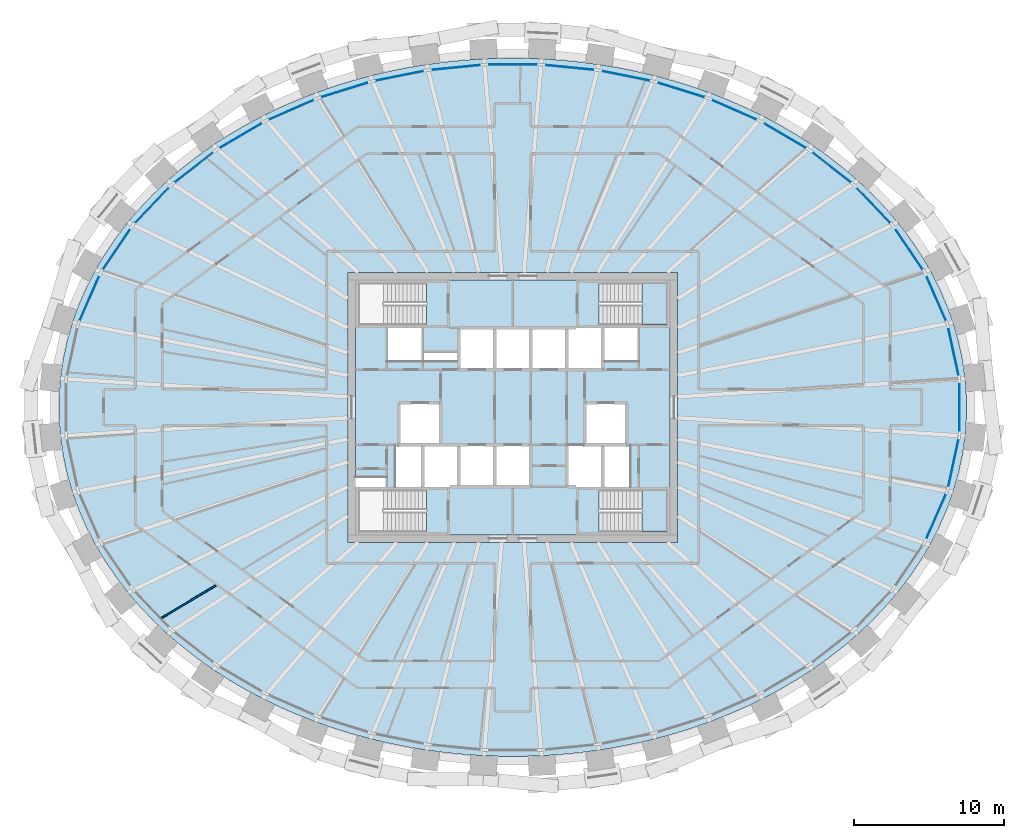
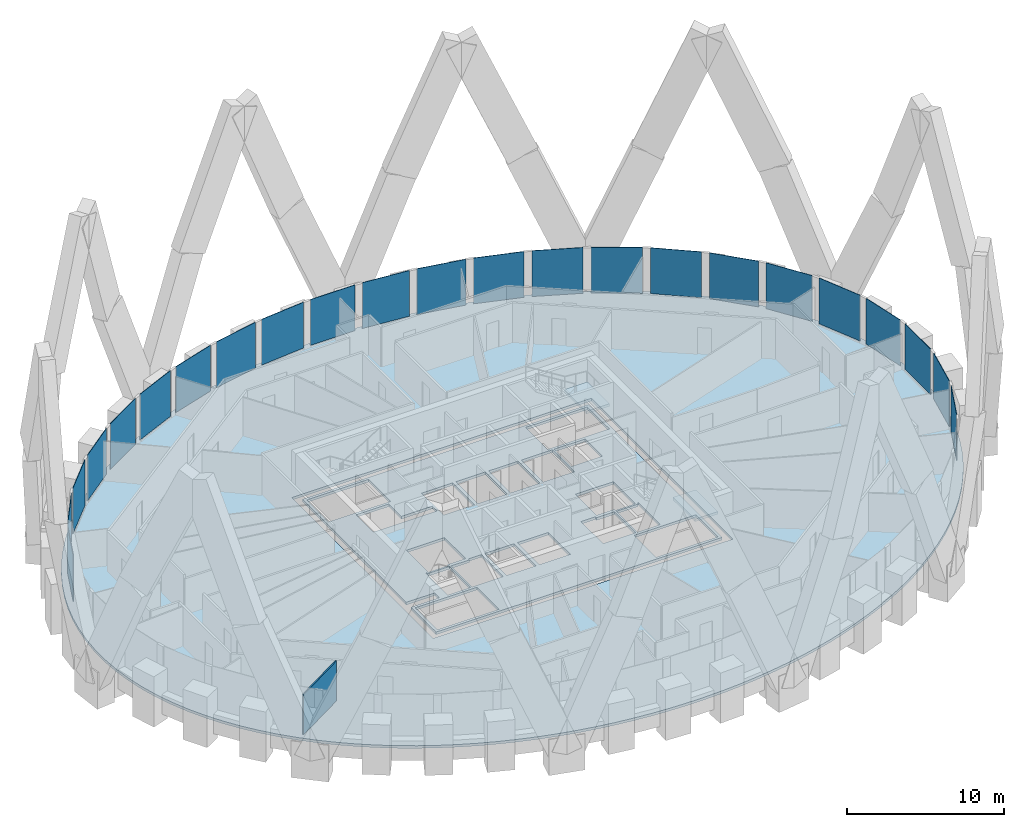
# One storey, part 6 of 14: 23 plates, 4 slabs, 1 wall, 3 elements without a shape of their own.
"""IFC4 building model written with IfcOpenShell, lengths in metres."""

from ifc_helpers import new_model, si_unit, direction, frame, frame_2d, origin, origin_2d, place, context, subcontext, project, spatial, polyline, rectangle, outline, extrude, source, transform, mapped, material, layer, layer_set, type_object, element, aggregate, save


model = new_model("IFC4")

# Units and contexts
model_context = context("Model", 3, precision=1e-05, world=origin(), true_north=direction((0.0, 1.0)))
body_context = subcontext(model_context, "Body", "Model", "MODEL_VIEW")
ifc_project = project(units=[si_unit("LENGTHUNIT", "METRE"), si_unit("AREAUNIT", "SQUARE_METRE"), si_unit("VOLUMEUNIT", "CUBIC_METRE"), si_unit("PLANEANGLEUNIT", "RADIAN"), si_unit("MASSUNIT", "GRAM", prefix="KILO")], contexts=[model_context])

# Site, building, storey
site_placement = place(None, origin())
site = spatial("IfcSite", under=ifc_project, at=site_placement, CompositionType="ELEMENT")
building_placement = place(site_placement, origin())
building = spatial("IfcBuilding", under=site, at=building_placement, Name="Embergate Tower", CompositionType="ELEMENT")
storey_placement = place(building_placement, frame((0.0, 0.0, 297.39990234375)))
storey = spatial("IfcBuildingStorey", under=building, at=storey_placement, Name="L69", CompositionType="ELEMENT", Elevation=297.39990234375)

# Slab
ifc_material_1 = material(Name="Concrete C40", Category="concrete")
ifc_layer_1 = layer(ifc_material_1, 0.199951171875)
ifc_layer_set_1 = layer_set([ifc_layer_1], Name="Concrete C40")
slab_type_1 = type_object("IfcSlabType", Name="Composite floor slab C40 200", PredefinedType="FLOOR", material=ifc_layer_set_1)
shared_shape_1 = source(origin(), body_context, "Body", "SweptSolid", [
    extrude(outline(polyline([(0.0, 0.0), (1.27978515625, 0.0), (2.558837890625, 0.0419921875), (3.8388671875, 0.125), (5.11279296875, 0.2509765625), (6.3779296875, 0.4169921875), (7.64599609375, 0.626953125), (8.90087890625, 0.87890625), (10.140869140625, 1.171875), (11.3837890625, 1.510986328125), (12.60595703125, 1.891845703125), (13.804931640625, 2.31298828125), (15.0068359375, 2.784912109375), (16.178955078125, 3.2978515625), (17.32080078125, 3.850830078125), (18.4619140625, 4.4599609375), (19.56494140625, 5.10791015625), (20.62890625, 5.794921875), (21.684814453125, 6.544921875), (22.69384765625, 7.331787109375), (23.65283203125, 8.15576171875), (24.593994140625, 9.046875), (25.477783203125, 9.972900390625), (26.2998046875, 10.931884765625), (27.0888671875, 11.9599609375), (27.807861328125, 13.017822265625), (28.455810546875, 14.101806640625), (29.0498046875, 15.2509765625), (29.56396484375, 16.4228515625), (29.995849609375, 17.61279296875), (30.352783203125, 18.849853515625), (30.621826171875, 20.099853515625), (30.802001953125, 21.35986328125), (30.893798828125, 22.636962890625), (30.893798828125, 23.914794921875), (30.802001953125, 25.19189453125), (30.621826171875, 26.451904296875), (30.352783203125, 27.701904296875), (29.995849609375, 28.93896484375), (29.56396484375, 30.12890625), (29.0498046875, 31.30078125), (28.455810546875, 32.449951171875), (27.807861328125, 33.533935546875), (27.0888671875, 34.591796875), (26.2998046875, 35.619873046875), (25.477783203125, 36.578857421875), (24.593994140625, 37.5048828125), (23.65283203125, 38.39599609375), (22.69384765625, 39.219970703125), (21.684814453125, 40.0068359375), (20.62890625, 40.7568359375), (19.56494140625, 41.44384765625), (18.4619140625, 42.091796875), (17.32080078125, 42.700927734375), (16.178955078125, 43.25390625), (15.0068359375, 43.766845703125), (13.804931640625, 44.23876953125), (12.60595703125, 44.659912109375), (11.3837890625, 45.040771484375), (10.140869140625, 45.3798828125), (8.90087890625, 45.6728515625), (7.64599609375, 45.9248046875), (6.3779296875, 46.134765625), (5.11279296875, 46.30078125), (3.8388671875, 46.4267578125), (2.558837890625, 46.509765625), (1.27978515625, 46.5517578125), (0.0, 46.5517578125), (-1.279052734375, 46.509765625), (-2.55908203125, 46.4267578125), (-3.8330078125, 46.30078125), (-5.09814453125, 46.134765625), (-6.3662109375, 45.9248046875), (-7.62109375, 45.6728515625), (-8.861083984375, 45.3798828125), (-10.10400390625, 45.040771484375), (-11.326171875, 44.659912109375), (-12.525146484375, 44.23876953125), (-13.72705078125, 43.766845703125), (-14.899169921875, 43.25390625), (-16.041015625, 42.700927734375), (-17.18212890625, 42.091796875), (-18.28515625, 41.44384765625), (-19.34912109375, 40.7568359375), (-20.405029296875, 40.0068359375), (-21.4140625, 39.219970703125), (-22.373046875, 38.39599609375), (-23.314208984375, 37.5048828125), (-24.197998046875, 36.578857421875), (-25.02001953125, 35.619873046875), (-25.80908203125, 34.591796875), (-26.528076171875, 33.533935546875), (-27.176025390625, 32.449951171875), (-27.77001953125, 31.30078125), (-28.2841796875, 30.12890625), (-28.716064453125, 28.93896484375), (-29.072998046875, 27.701904296875), (-29.342041015625, 26.451904296875), (-29.522216796875, 25.19189453125), (-29.614013671875, 23.914794921875), (-29.614013671875, 22.636962890625), (-29.522216796875, 21.35986328125), (-29.342041015625, 20.099853515625), (-29.072998046875, 18.849853515625), (-28.716064453125, 17.61279296875), (-28.2841796875, 16.4228515625), (-27.77001953125, 15.2509765625), (-27.176025390625, 14.101806640625), (-26.528076171875, 13.017822265625), (-25.80908203125, 11.9599609375), (-25.02001953125, 10.931884765625), (-24.197998046875, 9.972900390625), (-23.314208984375, 9.046875), (-22.373046875, 8.15576171875), (-21.4140625, 7.331787109375), (-20.405029296875, 6.544921875), (-19.34912109375, 5.794921875), (-18.28515625, 5.10791015625), (-17.18212890625, 4.4599609375), (-16.041015625, 3.850830078125), (-14.899169921875, 3.2978515625), (-13.72705078125, 2.784912109375), (-12.525146484375, 2.31298828125), (-11.326171875, 1.891845703125), (-10.10400390625, 1.510986328125), (-8.861083984375, 1.171875), (-7.62109375, 0.87890625), (-6.3662109375, 0.626953125), (-5.09814453125, 0.4169921875), (-3.8330078125, 0.2509765625), (-2.55908203125, 0.125), (-1.279052734375, 0.0419921875), (0.0, 0.0)]), holes=[polyline([(-10.360107421875, 14.27587890625), (-10.360107421875, 32.27587890625), (11.639892578125, 32.27587890625), (11.639892578125, 14.27587890625), (-10.360107421875, 14.27587890625)])]), origin(), (0.0, 0.0, 1.0), 0.199951171875),
])
slab_1_placement = place(storey_placement, frame((-0.639892578125, -23.27587890625, -0.199951171875)))
element("IfcSlab", 1, at=slab_1_placement, inside=storey, type_object=slab_type_1, Name="SLB-L69-00", PredefinedType="FLOOR", context=body_context, shape_type="MappedRepresentation", body=[
    mapped(shared_shape_1, transform((0.0, 0.0, 0.0))),
])

# Curtain wall, plates
ifc_material_2 = material(Name="Aluminium and glass", Category="aluminium")
curtain_wall_type = type_object("IfcCurtainWallType", Name="Recessed office glazing", PredefinedType="NOTDEFINED", material=ifc_material_2)
curtain_wall_placement = place(storey_placement, origin())
curtain_wall = element("IfcCurtainWall", 2, at=curtain_wall_placement, inside=storey, type_object=curtain_wall_type, Name="Recessed office glazing ring", ObjectType="RECESSED OFFICE GLAZING", PredefinedType="USERDEFINED")
ifc_material_3 = material(Name="Triple glazing, low-emissivity coating", Category="glass")
ifc_layer_2 = layer(ifc_material_3, 0.035888671875)
ifc_layer_set_2 = layer_set([ifc_layer_2], Name="Triple glazing, low-emissivity coating")
plate_type = type_object("IfcPlateType", Name="Office glazing unit", PredefinedType="CURTAIN_PANEL", material=ifc_layer_set_2)
shared_shape_2 = source(origin(), body_context, "Body", "SweptSolid", [
    extrude(rectangle(XDim=3.2314453125, YDim=0.035888671875, at=origin_2d()), origin(), (0.0, 0.0, 1.0), 3.550048828125),
])
plate_1_placement = place(storey_placement, frame((29.3798828125, 3.708251953125, 0.14990234375), z_axis=(0.0, 0.0, 1.0), x_axis=(-0.210398391177, 0.97761573074, 0.0)))
plate_1 = element("IfcPlate", 3, at=plate_1_placement, type_object=plate_type, Name="CW panel 1.1", PredefinedType="CURTAIN_PANEL", context=body_context, shape_type="MappedRepresentation", body=[
    mapped(shared_shape_2, transform((0.0, 0.0, 0.0))),
])
plate_2_placement = place(storey_placement, frame((29.3798828125, -3.708251953125, 0.14990234375), z_axis=(0.0, 0.0, 1.0), x_axis=(0.210398391177, 0.97761573074, 0.0)))
plate_2 = element("IfcPlate", 4, at=plate_2_placement, type_object=plate_type, Name="CW panel 43.1", PredefinedType="CURTAIN_PANEL", context=body_context, shape_type="MappedRepresentation", body=[
    mapped(shared_shape_2, transform((0.0, 0.0, 0.0))),
])
shared_shape_3 = source(origin(), body_context, "Body", "SweptSolid", [
    extrude(rectangle(XDim=3.23828125, YDim=0.035888671875, at=origin_2d()), origin(), (0.0, 0.0, 1.0), 3.550048828125),
])
plate_3_placement = place(storey_placement, frame((28.23046875, 7.2626953125, 0.14990234375), z_axis=(0.0, 0.0, 1.0), x_axis=(-0.401653699516, 0.915791627864, 0.0)))
plate_3 = element("IfcPlate", 5, at=plate_3_placement, type_object=plate_type, Name="CW panel 2.1", PredefinedType="CURTAIN_PANEL", context=body_context, shape_type="MappedRepresentation", body=[
    mapped(shared_shape_3, transform((0.0, 0.0, 0.0))),
])
plate_4_placement = place(storey_placement, frame((-28.23046875, 7.2626953125, 0.14990234375), z_axis=(0.0, 0.0, 1.0), x_axis=(-0.401653699516, -0.915791627864, 0.0)))
plate_4 = element("IfcPlate", 6, at=plate_4_placement, type_object=plate_type, Name="CW panel 20.1", PredefinedType="CURTAIN_PANEL", context=body_context, shape_type="MappedRepresentation", body=[
    mapped(shared_shape_3, transform((0.0, 0.0, 0.0))),
])
plate_5_placement = place(storey_placement, frame((28.23046875, -7.2626953125, 0.14990234375), z_axis=(0.0, 0.0, 1.0), x_axis=(0.401653699516, 0.915791627864, 0.0)))
plate_5 = element("IfcPlate", 7, at=plate_5_placement, type_object=plate_type, Name="CW panel 42.1", PredefinedType="CURTAIN_PANEL", context=body_context, shape_type="MappedRepresentation", body=[
    mapped(shared_shape_3, transform((0.0, 0.0, 0.0))),
])
shared_shape_4 = source(origin(), body_context, "Body", "SweptSolid", [
    extrude(rectangle(XDim=3.246826171875, YDim=0.035888671875, at=origin_2d()), origin(), (0.0, 0.0, 1.0), 3.550048828125),
])
plate_6_placement = place(storey_placement, frame((26.41650390625, 10.541015625, 0.14990234375), z_axis=(0.0, 0.0, 1.0), x_axis=(-0.562341741915, 0.826904931234, 0.0)))
plate_6 = element("IfcPlate", 8, at=plate_6_placement, type_object=plate_type, Name="CW panel 3.1", PredefinedType="CURTAIN_PANEL", context=body_context, shape_type="MappedRepresentation", body=[
    mapped(shared_shape_4, transform((0.0, 0.0, 0.0))),
])
plate_7_placement = place(storey_placement, frame((-26.41650390625, 10.541015625, 0.14990234375), z_axis=(0.0, 0.0, 1.0), x_axis=(-0.562341741915, -0.826904931234, 0.0)))
plate_7 = element("IfcPlate", 9, at=plate_7_placement, type_object=plate_type, Name="CW panel 19.1", PredefinedType="CURTAIN_PANEL", context=body_context, shape_type="MappedRepresentation", body=[
    mapped(shared_shape_4, transform((0.0, 0.0, 0.0))),
])
shared_shape_5 = source(origin(), body_context, "Body", "SweptSolid", [
    extrude(rectangle(XDim=3.255126953125, YDim=0.035888671875, at=origin_2d()), origin(), (0.0, 0.0, 1.0), 3.550048828125),
])
plate_8_placement = place(storey_placement, frame((24.0546875, 13.464599609375, 0.14990234375), z_axis=(0.0, 0.0, 1.0), x_axis=(-0.690133784465, 0.723681808215, 0.0)))
plate_8 = element("IfcPlate", 10, at=plate_8_placement, type_object=plate_type, Name="CW panel 4.1", PredefinedType="CURTAIN_PANEL", context=body_context, shape_type="MappedRepresentation", body=[
    mapped(shared_shape_5, transform((0.0, 0.0, 0.0))),
])
plate_9_placement = place(storey_placement, frame((-24.0546875, 13.464599609375, 0.14990234375), z_axis=(0.0, 0.0, 1.0), x_axis=(-0.690133784465, -0.723681808215, 0.0)))
plate_9 = element("IfcPlate", 11, at=plate_9_placement, type_object=plate_type, Name="CW panel 18.1", PredefinedType="CURTAIN_PANEL", context=body_context, shape_type="MappedRepresentation", body=[
    mapped(shared_shape_5, transform((0.0, 0.0, 0.0))),
])
shared_shape_6 = source(origin(), body_context, "Body", "SweptSolid", [
    extrude(rectangle(XDim=3.262451171875, YDim=0.035888671875, at=origin_2d()), origin(), (0.0, 0.0, 1.0), 3.550048828125),
])
plate_10_placement = place(storey_placement, frame((21.26123046875, 15.994140625, 0.14990234375), z_axis=(0.0, 0.0, 1.0), x_axis=(-0.788317971569, 0.615268051911, 0.0)))
plate_10 = element("IfcPlate", 12, at=plate_10_placement, type_object=plate_type, Name="CW panel 5.1", PredefinedType="CURTAIN_PANEL", context=body_context, shape_type="MappedRepresentation", body=[
    mapped(shared_shape_6, transform((0.0, 0.0, 0.0))),
])
plate_11_placement = place(storey_placement, frame((-21.26123046875, 15.994140625, 0.14990234375), z_axis=(0.0, 0.0, 1.0), x_axis=(-0.788317971569, -0.615268051911, 0.0)))
plate_11 = element("IfcPlate", 13, at=plate_11_placement, type_object=plate_type, Name="CW panel 17.1", PredefinedType="CURTAIN_PANEL", context=body_context, shape_type="MappedRepresentation", body=[
    mapped(shared_shape_6, transform((0.0, 0.0, 0.0))),
])
shared_shape_7 = source(origin(), body_context, "Body", "SweptSolid", [
    extrude(rectangle(XDim=3.268310546875, YDim=0.035888671875, at=origin_2d()), origin(), (0.0, 0.0, 1.0), 3.550048828125),
])
plate_12_placement = place(storey_placement, frame((18.137451171875, 18.117919921875, 0.14990234375), z_axis=(0.0, 0.0, 1.0), x_axis=(-0.862051398678, 0.50682086188, 0.0)))
plate_12 = element("IfcPlate", 14, at=plate_12_placement, type_object=plate_type, Name="CW panel 6.1", PredefinedType="CURTAIN_PANEL", context=body_context, shape_type="MappedRepresentation", body=[
    mapped(shared_shape_7, transform((0.0, 0.0, 0.0))),
])
plate_13_placement = place(storey_placement, frame((-18.137451171875, 18.117919921875, 0.14990234375), z_axis=(0.0, 0.0, 1.0), x_axis=(-0.862051398678, -0.50682086188, 0.0)))
plate_13 = element("IfcPlate", 15, at=plate_13_placement, type_object=plate_type, Name="CW panel 16.1", PredefinedType="CURTAIN_PANEL", context=body_context, shape_type="MappedRepresentation", body=[
    mapped(shared_shape_7, transform((0.0, 0.0, 0.0))),
])
shared_shape_8 = source(origin(), body_context, "Body", "SweptSolid", [
    extrude(rectangle(XDim=3.272705078125, YDim=0.035888671875, at=origin_2d()), origin(), (0.0, 0.0, 1.0), 3.550048828125),
])
plate_14_placement = place(storey_placement, frame((14.76708984375, 19.837646484375, 0.14990234375), z_axis=(0.0, 0.0, 1.0), x_axis=(-0.916234813243, 0.400641694037, 0.0)))
plate_14 = element("IfcPlate", 16, at=plate_14_placement, type_object=plate_type, Name="CW panel 7.1", PredefinedType="CURTAIN_PANEL", context=body_context, shape_type="MappedRepresentation", body=[
    mapped(shared_shape_8, transform((0.0, 0.0, 0.0))),
])
plate_15_placement = place(storey_placement, frame((-14.76708984375, 19.837646484375, 0.14990234375), z_axis=(0.0, 0.0, 1.0), x_axis=(-0.916234813243, -0.400641694037, 0.0)))
plate_15 = element("IfcPlate", 17, at=plate_15_placement, type_object=plate_type, Name="CW panel 15.1", PredefinedType="CURTAIN_PANEL", context=body_context, shape_type="MappedRepresentation", body=[
    mapped(shared_shape_8, transform((0.0, 0.0, 0.0))),
])
shared_shape_9 = source(origin(), body_context, "Body", "SweptSolid", [
    extrude(rectangle(XDim=3.27587890625, YDim=0.035888671875, at=origin_2d()), origin(), (0.0, 0.0, 1.0), 3.550048828125),
])
plate_16_placement = place(storey_placement, frame((11.21728515625, 21.16162109375, 0.14990234375), z_axis=(0.0, 0.0, 1.0), x_axis=(-0.954771179262, 0.297341546458, 0.0)))
plate_16 = element("IfcPlate", 18, at=plate_16_placement, type_object=plate_type, Name="CW panel 8.1", PredefinedType="CURTAIN_PANEL", context=body_context, shape_type="MappedRepresentation", body=[
    mapped(shared_shape_9, transform((0.0, 0.0, 0.0))),
])
plate_17_placement = place(storey_placement, frame((-11.21728515625, 21.16162109375, 0.14990234375), z_axis=(0.0, 0.0, 1.0), x_axis=(-0.954771179262, -0.297341546458, 0.0)))
plate_17 = element("IfcPlate", 19, at=plate_17_placement, type_object=plate_type, Name="CW panel 14.1", PredefinedType="CURTAIN_PANEL", context=body_context, shape_type="MappedRepresentation", body=[
    mapped(shared_shape_9, transform((0.0, 0.0, 0.0))),
])
shared_shape_10 = source(origin(), body_context, "Body", "SweptSolid", [
    extrude(rectangle(XDim=3.2783203125, YDim=0.035888671875, at=origin_2d()), origin(), (0.0, 0.0, 1.0), 3.550048828125),
])
plate_18_placement = place(storey_placement, frame((7.543212890625, 22.099609375, 0.14990234375), z_axis=(0.0, 0.0, 1.0), x_axis=(-0.980475564207, 0.196640962142, 0.0)))
plate_18 = element("IfcPlate", 20, at=plate_18_placement, type_object=plate_type, Name="CW panel 9.1", PredefinedType="CURTAIN_PANEL", context=body_context, shape_type="MappedRepresentation", body=[
    mapped(shared_shape_10, transform((0.0, 0.0, 0.0))),
])
plate_19_placement = place(storey_placement, frame((-7.543212890625, 22.099609375, 0.14990234375), z_axis=(0.0, 0.0, 1.0), x_axis=(-0.980475564207, -0.196640962142, 0.0)))
plate_19 = element("IfcPlate", 21, at=plate_19_placement, type_object=plate_type, Name="CW panel 13.1", PredefinedType="CURTAIN_PANEL", context=body_context, shape_type="MappedRepresentation", body=[
    mapped(shared_shape_10, transform((0.0, 0.0, 0.0))),
])
shared_shape_11 = source(origin(), body_context, "Body", "SweptSolid", [
    extrude(rectangle(XDim=3.279296875, YDim=0.035888671875, at=origin_2d()), origin(), (0.0, 0.0, 1.0), 3.550048828125),
])
plate_20_placement = place(storey_placement, frame((3.79052734375, 22.65869140625, 0.14990234375), z_axis=(0.0, 0.0, 1.0), x_axis=(-0.995203184788, 0.097829550688, 0.0)))
plate_20 = element("IfcPlate", 22, at=plate_20_placement, type_object=plate_type, Name="CW panel 10.1", PredefinedType="CURTAIN_PANEL", context=body_context, shape_type="MappedRepresentation", body=[
    mapped(shared_shape_11, transform((0.0, 0.0, 0.0))),
])
plate_21_placement = place(storey_placement, frame((-3.79052734375, 22.65869140625, 0.14990234375), z_axis=(0.0, 0.0, 1.0), x_axis=(-0.995203184788, -0.097829550688, 0.0)))
plate_21 = element("IfcPlate", 23, at=plate_21_placement, type_object=plate_type, Name="CW panel 12.1", PredefinedType="CURTAIN_PANEL", context=body_context, shape_type="MappedRepresentation", body=[
    mapped(shared_shape_11, transform((0.0, 0.0, 0.0))),
])
shared_shape_12 = source(origin(), body_context, "Body", "SweptSolid", [
    extrude(rectangle(XDim=3.27978515625, YDim=0.035888671875, at=origin_2d()), origin(), (0.0, 0.0, 1.0), 3.550048828125),
])
plate_22_placement = place(storey_placement, frame((0.0, 22.844482421875, 0.14990234375), z_axis=(0.0, 0.0, 1.0), x_axis=(-1.0, 0.0, 0.0)))
plate_22 = element("IfcPlate", 24, at=plate_22_placement, type_object=plate_type, Name="CW panel 11.1", PredefinedType="CURTAIN_PANEL", context=body_context, shape_type="MappedRepresentation", body=[
    mapped(shared_shape_12, transform((0.0, 0.0, 0.0))),
])
shared_shape_13 = source(origin(), body_context, "Body", "SweptSolid", [
    extrude(rectangle(XDim=3.22900390625, YDim=0.035888671875, at=origin_2d()), origin(), (0.0, 0.0, 1.0), 3.550048828125),
])
plate_23_placement = place(storey_placement, frame((29.774658203125, 0.0, 0.14990234375), z_axis=(0.0, 0.0, 1.0), x_axis=(0.0, 1.0, 0.0)))
plate_23 = element("IfcPlate", 25, at=plate_23_placement, type_object=plate_type, Name="CW panel 44.1", PredefinedType="CURTAIN_PANEL", context=body_context, shape_type="MappedRepresentation", body=[
    mapped(shared_shape_13, transform((0.0, 0.0, 0.0))),
])
aggregate(curtain_wall, [plate_1, plate_3, plate_6, plate_8, plate_10, plate_12, plate_14, plate_16, plate_18, plate_20, plate_22, plate_21, plate_19, plate_17, plate_15, plate_13, plate_11, plate_9, plate_7, plate_4, plate_5, plate_2, plate_23])

# Stair, slab
ifc_material_4 = material(Name="Exit stair")
stair_type = type_object("IfcStairType", Name="Exit stair", PredefinedType="HALF_TURN_STAIR", material=ifc_material_4)
stair_1_placement = place(storey_placement, origin())
stair_1 = element("IfcStair", 26, at=stair_1_placement, inside=storey, type_object=stair_type, Name="L69 Exit stair 2", PredefinedType="HALF_TURN_STAIR")
ifc_layer_3 = layer(ifc_material_1, 0.199951171875)
ifc_layer_set_3 = layer_set([ifc_layer_3], Name="Concrete C40")
slab_type_2 = type_object("IfcSlabType", Name="Stair landing reinforced concrete", PredefinedType="LANDING", material=ifc_layer_set_3)
shared_shape_14 = source(origin(), body_context, "Body", "SweptSolid", [
    extrude(outline(polyline([(0.0, 0.0), (1.68994140625, 0.0), (1.68994140625, 2.800048828125), (0.0, 2.800048828125), (0.0, 0.0)])), origin(), (0.0, 0.0, 1.0), 0.2001953125),
])
slab_2_placement = place(storey_placement, frame((8.610107421875, 5.5, 1.75)))
slab_2 = element("IfcSlab", 27, at=slab_2_placement, type_object=slab_type_2, Name="ST2 landing 1", PredefinedType="LANDING", context=body_context, shape_type="MappedRepresentation", body=[
    mapped(shared_shape_14, transform((0.0, 0.0, 0.0))),
])
aggregate(stair_1, [slab_2])

stair_2_placement = place(storey_placement, origin())
stair_2 = element("IfcStair", 28, at=stair_2_placement, inside=storey, type_object=stair_type, Name="L69 Exit stair 4", PredefinedType="HALF_TURN_STAIR")
slab_3_placement = place(storey_placement, frame((8.610107421875, -8.300048828125, 1.75)))
slab_3 = element("IfcSlab", 29, at=slab_3_placement, type_object=slab_type_2, Name="ST4 landing 1", PredefinedType="LANDING", context=body_context, shape_type="MappedRepresentation", body=[
    mapped(shared_shape_14, transform((0.0, 0.0, 0.0))),
])
aggregate(stair_2, [slab_3])

# Slab
ifc_layer_4 = layer(ifc_material_1, 0.199951171875)
ifc_layer_set_4 = layer_set([ifc_layer_4], Name="Concrete C40")
slab_type_3 = type_object("IfcSlabType", Name="Core floor slab 200 reinforced concrete", PredefinedType="FLOOR", material=ifc_layer_set_4)
shared_shape_15 = source(origin(), body_context, "Body", "SweptSolid", [
    extrude(outline(polyline([(0.0, 0.0), (21.0, 0.0), (21.0, 17.0), (0.0, 17.0), (0.0, 3.803955078125), (2.10009765625, 3.803955078125), (2.10009765625, 3.199951171875), (0.0, 3.199951171875), (0.0, 0.0)]), holes=[polyline([(0.199951171875, 0.199951171875), (0.199951171875, 3.0), (4.739990234375, 3.0), (4.739990234375, 0.199951171875), (0.199951171875, 0.199951171875)]), polyline([(16.260009765625, 0.199951171875), (16.260009765625, 3.0), (20.800048828125, 3.0), (20.800048828125, 0.199951171875), (16.260009765625, 0.199951171875)]), polyline([(2.699951171875, 3.199951171875), (2.699951171875, 6.0), (2.77490234375, 6.0), (2.77490234375, 5.875), (4.375, 5.875), (4.375, 3.199951171875), (2.699951171875, 3.199951171875)]), polyline([(4.5, 3.199951171875), (4.5, 5.875), (5.824951171875, 5.875), (5.824951171875, 6.0), (6.77490234375, 6.0), (6.77490234375, 3.199951171875), (4.5, 3.199951171875)]), polyline([(7.02490234375, 3.199951171875), (7.02490234375, 6.0), (9.175048828125, 6.0), (9.175048828125, 3.199951171875), (7.02490234375, 3.199951171875)]), polyline([(9.425048828125, 3.199951171875), (9.425048828125, 6.0), (11.699951171875, 6.0), (11.699951171875, 3.199951171875), (9.425048828125, 3.199951171875)]), polyline([(14.10009765625, 3.199951171875), (14.10009765625, 6.0), (15.175048828125, 6.0), (15.175048828125, 5.875), (16.5, 5.875), (16.5, 3.199951171875), (14.10009765625, 3.199951171875)]), polyline([(16.625, 3.199951171875), (16.625, 5.875), (18.22509765625, 5.875), (18.22509765625, 6.0), (18.300048828125, 6.0), (18.300048828125, 3.199951171875), (16.625, 3.199951171875)]), polyline([(2.89990234375, 6.0), (2.89990234375, 8.800048828125), (5.699951171875, 8.800048828125), (5.699951171875, 6.125), (4.375, 6.125), (4.375, 6.0), (2.89990234375, 6.0)]), polyline([(16.625, 6.0), (16.625, 6.125), (15.300048828125, 6.125), (15.300048828125, 8.800048828125), (18.10009765625, 8.800048828125), (18.10009765625, 6.0), (16.625, 6.0)]), polyline([(6.89990234375, 11.0), (6.89990234375, 13.800048828125), (9.175048828125, 13.800048828125), (9.175048828125, 11.0), (6.89990234375, 11.0)]), polyline([(9.425048828125, 11.0), (9.425048828125, 13.800048828125), (11.574951171875, 13.800048828125), (11.574951171875, 11.0), (9.425048828125, 11.0)]), polyline([(11.824951171875, 11.0), (11.824951171875, 13.800048828125), (13.97509765625, 13.800048828125), (13.97509765625, 11.0), (11.824951171875, 11.0)]), polyline([(14.22509765625, 11.0), (14.22509765625, 13.800048828125), (16.5, 13.800048828125), (16.5, 11.0), (14.22509765625, 11.0)]), polyline([(2.10009765625, 11.60009765625), (2.10009765625, 13.800048828125), (4.5, 13.800048828125), (4.5, 12.2041015625), (6.77490234375, 12.2041015625), (6.77490234375, 11.60009765625), (4.5, 11.60009765625), (2.10009765625, 11.60009765625)]), polyline([(16.625, 11.60009765625), (16.625, 13.800048828125), (18.89990234375, 13.800048828125), (18.89990234375, 11.60009765625), (16.625, 11.60009765625)]), polyline([(0.199951171875, 14.0), (0.199951171875, 16.800048828125), (4.739990234375, 16.800048828125), (4.739990234375, 14.0), (0.199951171875, 14.0)]), polyline([(16.260009765625, 14.0), (16.260009765625, 16.800048828125), (20.800048828125, 16.800048828125), (20.800048828125, 14.0), (16.260009765625, 14.0)])]), origin(), (0.0, 0.0, 1.0), 0.199951171875),
])
slab_4_placement = place(storey_placement, frame((-10.5, -8.5, -0.199951171875)))
element("IfcSlab", 30, at=slab_4_placement, inside=storey, type_object=slab_type_3, Name="Core floor slab", PredefinedType="FLOOR", context=body_context, shape_type="MappedRepresentation", body=[
    mapped(shared_shape_15, transform((0.0, 0.0, 0.0))),
])

# Wall
ifc_material_5 = material(Name="Partition dry-lined 100")
ifc_layer_5 = layer(ifc_material_5, 0.10009765625)
ifc_layer_set_5 = layer_set([ifc_layer_5], Name="Partition dry-lined 100")
wall_type = type_object("IfcWallType", Name="Partition dry-lined 100", PredefinedType="PARTITIONING", material=ifc_layer_set_5)
shared_shape_16 = source(origin(), body_context, "Body", "SweptSolid", [
    extrude(rectangle(XDim=4.312255859375, YDim=0.10009765625, at=frame_2d((2.15625, 0.0))), origin(), (0.0, 0.0, 1.0), 3.10009765625),
])
wall_placement = place(storey_placement, frame((-19.81005859375, -11.883056640625, 0.0), z_axis=(0.0, 0.0, 1.0), x_axis=(-0.857572844795, -0.514362533502, 0.0)))
element("IfcWall", 31, at=wall_placement, inside=storey, type_object=wall_type, Name="IP-1 wall", PredefinedType="PARTITIONING", context=body_context, shape_type="MappedRepresentation", body=[
    mapped(shared_shape_16, transform((0.0, 0.0, 0.0))),
])

save(model, "model.ifc")
